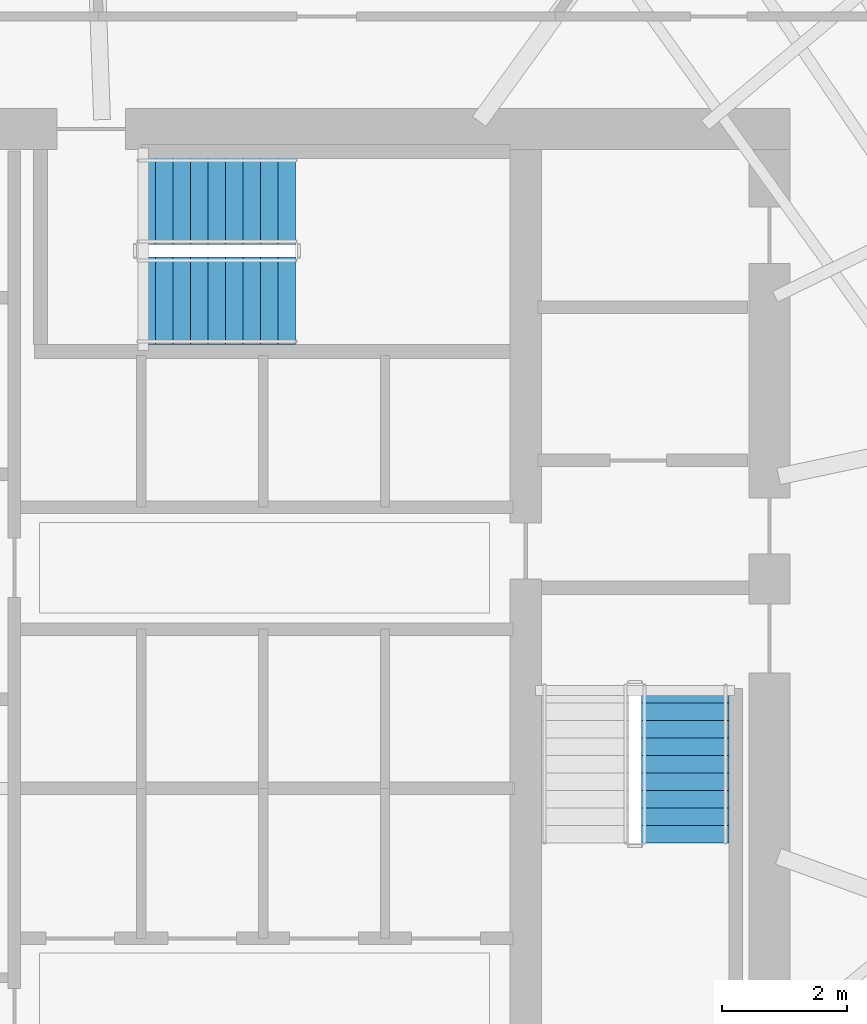
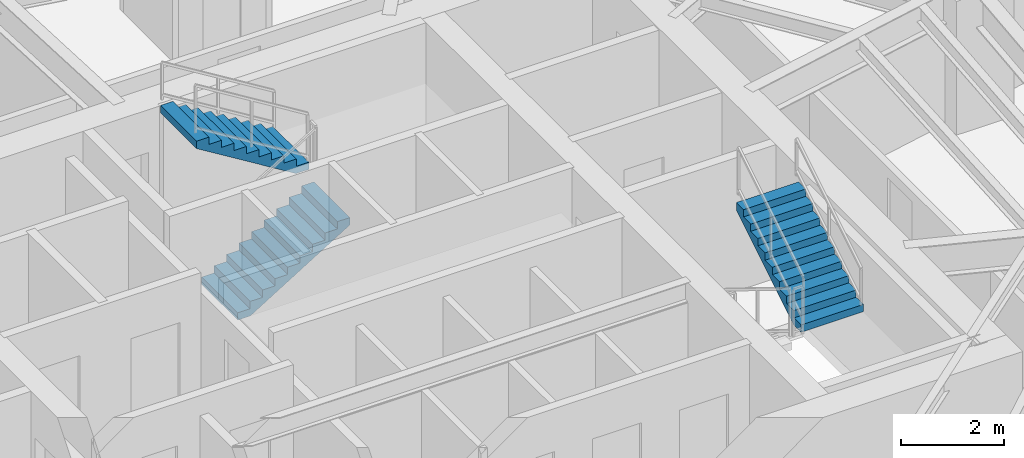
# One storey, part 26 of 30: 3 stair flights, 2 elements without a shape of their own.
"""IFC4 building model written with IfcOpenShell, lengths in metres."""

import ifcopenshell
import ifcopenshell.guid

model = None  # the IFC model being written
_history = None  # IfcOwnerHistory: only IFC2X3 demands one
_inside = {}  # id of a spatial element -> (the spatial element, [elements in it])
_under = {}  # id of a project, library or spatial element -> (it, [spatial elements below it])
_declared = {}  # id of a project -> (the project, [libraries it declares])
_typed = {}  # id of a type object -> (the type object, [elements of that type])
_made_of = {}  # id of a material, layer set ... -> (it, [elements and type objects made of it])


def new_model(schema):
    """Start an empty IFC model of exactly this schema.

    Asked for "IFC4X3", IfcOpenShell would pick the latest addendum, in which some entities
    have other attributes; the version numbers below select the first issue.
    IFC2X3 requires an IfcOwnerHistory on every rooted entity: one is made here for all.
    """
    global model, _history
    if schema == "IFC4X3":
        model = ifcopenshell.file(schema_version=(4, 3, 0, 0))
    else:
        model = ifcopenshell.file(schema=schema)
    _inside.clear()
    _under.clear()
    _declared.clear()
    _typed.clear()
    _made_of.clear()
    _history = None
    if model.schema == "IFC2X3":
        org = make("IfcOrganization", Name="unknown")
        user = make(
            "IfcPersonAndOrganization",
            ThePerson=make("IfcPerson", FamilyName="unknown"),
            TheOrganization=org,
        )
        app = make(
            "IfcApplication",
            ApplicationDeveloper=org,
            Version="unknown",
            ApplicationFullName="unknown",
            ApplicationIdentifier="unknown",
        )
        _history = make(
            "IfcOwnerHistory",
            OwningUser=user,
            OwningApplication=app,
            ChangeAction="ADDED",
            CreationDate=0,
        )
    return model


def make(cls, **values):
    """One entity of the class cls with the attributes given. An attribute that is None is left unset."""
    return model.create_entity(
        cls, **{name: value for name, value in values.items() if value is not None}
    )


def rooted(cls, **values):
    """An entity with a GlobalId (a new one), such as an element, a storey or a relation."""
    return make(cls, GlobalId=ifcopenshell.guid.new(), OwnerHistory=_history, **values)


def si_unit(unit_type, name, prefix=None):
    """IfcSIUnit, for example si_unit("LENGTHUNIT", "METRE", prefix="MILLI")."""
    return make("IfcSIUnit", UnitType=unit_type, Prefix=prefix, Name=name)


def assignment(units):
    """IfcUnitAssignment: the units of a project."""
    return None if units is None else make("IfcUnitAssignment", Units=units)


def point(xyz):
    """IfcCartesianPoint."""
    return None if xyz is None else make("IfcCartesianPoint", Coordinates=xyz)


def direction(xyz):
    """IfcDirection."""
    return None if xyz is None else make("IfcDirection", DirectionRatios=xyz)


def frame(location, z_axis=None, x_axis=None):
    """IfcAxis2Placement3D, a coordinate frame: its origin and axes. An axis left out is left unset."""
    return make(
        "IfcAxis2Placement3D",
        Location=point(location),
        Axis=direction(z_axis),
        RefDirection=direction(x_axis),
    )


def origin():
    """The frame at (0, 0, 0) with its axes left unset."""
    return frame((0.0, 0.0, 0.0))


def place(relative_to, where):
    """IfcLocalPlacement: puts the frame where relative to a parent placement (None: the world)."""
    return make(
        "IfcLocalPlacement", PlacementRelTo=relative_to, RelativePlacement=where
    )


def context(
    kind, dimensions, precision=None, world=None, true_north=None, identifier=None
):
    """IfcGeometricRepresentationContext, for example the 3D "Model" context."""
    return make(
        "IfcGeometricRepresentationContext",
        ContextIdentifier=identifier,
        ContextType=kind,
        CoordinateSpaceDimension=dimensions,
        Precision=precision,
        WorldCoordinateSystem=world,
        TrueNorth=true_north,
    )


def subcontext(parent, identifier, kind, view, scale=None):
    """IfcGeometricRepresentationSubContext, for example "Body" below "Model"."""
    return make(
        "IfcGeometricRepresentationSubContext",
        ContextIdentifier=identifier,
        ContextType=kind,
        ParentContext=parent,
        TargetScale=scale,
        TargetView=view,
    )


def project(units=None, contexts=None):
    """IfcProject with its units and contexts."""
    return rooted(
        "IfcProject",
        Name="project",
        RepresentationContexts=contexts,
        UnitsInContext=assignment(units),
    )


def spatial(cls, under=None, at=None, **own):
    """A site, building, storey or space (cls), placed at a placement, below another one or the project."""
    s = rooted(cls, ObjectPlacement=at, **own)
    if under is not None:
        _under.setdefault(under.id(), (under, []))[1].append(s)
    return s


def polyline(points):
    """IfcPolyline through the points."""
    return make("IfcPolyline", Points=[point(p) for p in points])


def outline(outer, holes=None, kind="AREA"):
    """IfcArbitraryClosedProfileDef: a profile drawn as a closed curve; with holes, ...WithVoids."""
    if holes is None:
        return make("IfcArbitraryClosedProfileDef", ProfileType=kind, OuterCurve=outer)
    return make(
        "IfcArbitraryProfileDefWithVoids",
        ProfileType=kind,
        OuterCurve=outer,
        InnerCurves=holes,
    )


def extrude(swept, where, along, depth):
    """IfcExtrudedAreaSolid: the profile swept, set in the frame where, extruded along a direction by depth."""
    return make(
        "IfcExtrudedAreaSolid",
        SweptArea=swept,
        Position=where,
        ExtrudedDirection=direction(along),
        Depth=depth,
    )


def shape(context_of_items, identifier, shape_type, items):
    """IfcShapeRepresentation: the items that make up one representation, for example the "Body"."""
    return make(
        "IfcShapeRepresentation",
        ContextOfItems=context_of_items,
        RepresentationIdentifier=identifier,
        RepresentationType=shape_type,
        Items=items,
    )


def material(Name=None, Category=None):
    """IfcMaterial."""
    return make("IfcMaterial", Name=Name, Category=Category)


def made_of(thing, what):
    """Note that an element or type object is made of a material, layer set ...; save() writes the relation."""
    if what is not None:
        _made_of.setdefault(what.id(), (what, []))[1].append(thing)
    return thing


def type_object(cls, material=None, **own):
    """A type object (cls), such as IfcWallType, which elements share."""
    return made_of(rooted(cls, **own), material)


def element(
    cls,
    number,
    at=None,
    inside=None,
    cuts=None,
    type_object=None,
    material=None,
    context=None,
    identifier="Body",
    shape_type=None,
    held_by="IfcProductDefinitionShape",
    body=None,
    shapes=None,
    **own,
):
    """One element of the class cls, such as IfcWall. Its Tag is "e" and its number.

    at: its placement. inside: the storey or other place that contains it. cuts: it is an
    opening in that element (IfcRelVoidsElement). A single representation is given by context,
    identifier, shape_type and body (its items); several are given by shapes. held_by: the class
    of the entity that holds the representations. save() writes the other relations.
    """
    e = rooted(cls, Tag="e%d" % number, ObjectPlacement=at, **own)
    if body is not None:
        shapes = [shape(context, identifier, shape_type, body)]
    if shapes is not None:
        e.Representation = make(held_by, Representations=shapes)
    if inside is not None:
        _inside.setdefault(inside.id(), (inside, []))[1].append(e)
    if cuts is not None:
        rooted(
            "IfcRelVoidsElement", RelatingBuildingElement=cuts, RelatedOpeningElement=e
        )
    if type_object is not None:
        _typed.setdefault(type_object.id(), (type_object, []))[1].append(e)
    return made_of(e, material)


def aggregate(whole, parts):
    """IfcRelAggregates: a whole, such as a stair, and the parts it consists of."""
    return rooted("IfcRelAggregates", RelatingObject=whole, RelatedObjects=parts)


def save(model, path):
    """Write the relations noted so far, then the file.

    IfcRelAggregates (storeys below a building ...), IfcRelContainedInSpatialStructure (elements
    in a storey), IfcRelDefinesByType, IfcRelAssociatesMaterial and IfcRelDeclares: one each for
    every whole, place, type object, material and project.
    """
    for whole, parts in _under.values():
        aggregate(whole, parts)
    for where, things in _inside.values():
        rooted(
            "IfcRelContainedInSpatialStructure",
            RelatedElements=things,
            RelatingStructure=where,
        )
    for kind, things in _typed.values():
        rooted("IfcRelDefinesByType", RelatedObjects=things, RelatingType=kind)
    for what, things in _made_of.values():
        rooted("IfcRelAssociatesMaterial", RelatedObjects=things, RelatingMaterial=what)
    for by, libraries in _declared.values():
        rooted("IfcRelDeclares", RelatingContext=by, RelatedDefinitions=libraries)
    model.write(path)


model = new_model("IFC4")

# Units and contexts
model_context = context("Model", 3, precision=1e-05, world=origin(), true_north=direction((0.0, 1.0)))
body_context = subcontext(model_context, "Body", "Model", "MODEL_VIEW")
ifc_project = project(units=[si_unit("LENGTHUNIT", "METRE"), si_unit("AREAUNIT", "SQUARE_METRE"), si_unit("VOLUMEUNIT", "CUBIC_METRE"), si_unit("PLANEANGLEUNIT", "RADIAN"), si_unit("MASSUNIT", "GRAM", prefix="KILO")], contexts=[model_context])

# Site, building, storey
site_placement = place(None, origin())
site = spatial("IfcSite", under=ifc_project, at=site_placement, CompositionType="ELEMENT")
building_placement = place(site_placement, origin())
building = spatial("IfcBuilding", under=site, at=building_placement, Name="Qarnah Convention Tower", CompositionType="ELEMENT")
storey_placement = place(building_placement, frame((0.0, 0.0, 58.050048828125)))
storey = spatial("IfcBuildingStorey", under=building, at=storey_placement, Name="L14", CompositionType="ELEMENT", Elevation=58.050048828125)

# Stair, stair flight
ifc_material = material(Name="Concrete C50/60", Category="concrete")
stair_type = type_object("IfcStairType", Name="STR-HTL", PredefinedType="HALF_TURN_STAIR", material=ifc_material)
stair_1_placement = place(storey_placement, origin())
stair_1 = element("IfcStair", 1, at=stair_1_placement, inside=storey, type_object=stair_type, Name="L14 Core exit stair ST-2", PredefinedType="HALF_TURN_STAIR")
stair_flight_type = type_object("IfcStairFlightType", Name="FLT-HTL", PredefinedType="STRAIGHT", material=ifc_material)
stair_flight_1_placement = place(storey_placement, frame((46.25, 22.780029296875, 1.724853515625), z_axis=(0.0, 0.0, 1.0), x_axis=(0.0, 1.0, 0.0)))
stair_flight_1 = element("IfcStairFlight", 2, at=stair_flight_1_placement, type_object=stair_flight_type, Name="ST-2 flight 2", NumberOfRisers=10, NumberOfTreads=9, PredefinedType="STRAIGHT", RiserHeight=0.1725, TreadLength=0.28, context=body_context, shape_type="SweptSolid", body=[
    extrude(outline(polyline([(0.0, 0.0), (0.0, 0.172607421875), (0.280029296875, 0.172607421875), (0.280029296875, 0.344970703125), (0.56005859375, 0.344970703125), (0.56005859375, 0.517578125), (0.840087890625, 0.517578125), (0.840087890625, 0.68994140625), (1.1201171875, 0.68994140625), (1.1201171875, 0.862548828125), (1.39990234375, 0.862548828125), (1.39990234375, 1.034912109375), (1.679931640625, 1.034912109375), (1.679931640625, 1.20751953125), (1.9599609375, 1.20751953125), (1.9599609375, 1.3798828125), (2.239990234375, 1.3798828125), (2.239990234375, 1.552490234375), (2.52001953125, 1.552490234375), (2.52001953125, 1.72509765625), (2.52001953125, 1.37646484375), (0.285888671875, 0.0), (0.0, 0.0)])), frame((0.0, 0.699951171875, 0.0), z_axis=(0.0, -1.0, 0.0), x_axis=(1.0, 0.0, 0.0)), (0.0, 0.0, 1.0), 1.39990234375),
])
aggregate(stair_1, [stair_flight_1])

# Stair, stair flights
stair_2_placement = place(storey_placement, origin())
stair_2 = element("IfcStair", 3, at=stair_2_placement, inside=storey, type_object=stair_type, Name="L14 Core exit stair ST-3", PredefinedType="HALF_TURN_STAIR")
stair_flight_2_placement = place(storey_placement, frame((37.5, 31.449951171875, 0.0), z_axis=(0.0, 0.0, 1.0), x_axis=(1.0, 0.0, 0.0)))
stair_flight_2 = element("IfcStairFlight", 4, at=stair_flight_2_placement, type_object=stair_flight_type, Name="ST-3 flight 1", NumberOfRisers=10, NumberOfTreads=9, PredefinedType="STRAIGHT", RiserHeight=0.1725, TreadLength=0.28, context=body_context, shape_type="SweptSolid", body=[
    extrude(outline(polyline([(0.0, 0.0), (0.0, 0.172607421875), (0.280029296875, 0.172607421875), (0.280029296875, 0.344970703125), (0.56005859375, 0.344970703125), (0.56005859375, 0.517578125), (0.840087890625, 0.517578125), (0.840087890625, 0.68994140625), (1.1201171875, 0.68994140625), (1.1201171875, 0.862548828125), (1.39990234375, 0.862548828125), (1.39990234375, 1.034912109375), (1.679931640625, 1.034912109375), (1.679931640625, 1.20751953125), (1.9599609375, 1.20751953125), (1.9599609375, 1.3798828125), (2.239990234375, 1.3798828125), (2.239990234375, 1.552490234375), (2.52001953125, 1.552490234375), (2.52001953125, 1.72509765625), (2.52001953125, 1.37646484375), (0.285888671875, 0.0), (0.0, 0.0)])), frame((0.0, 0.699951171875, 0.0), z_axis=(0.0, -1.0, 0.0), x_axis=(1.0, 0.0, 0.0)), (0.0, 0.0, 1.0), 1.39990234375),
])
stair_flight_3_placement = place(storey_placement, frame((40.02001953125, 33.050048828125, 1.724853515625), z_axis=(0.0, 0.0, 1.0), x_axis=(-1.0, 0.0, 0.0)))
stair_flight_3 = element("IfcStairFlight", 5, at=stair_flight_3_placement, type_object=stair_flight_type, Name="ST-3 flight 2", NumberOfRisers=10, NumberOfTreads=9, PredefinedType="STRAIGHT", RiserHeight=0.1725, TreadLength=0.28, context=body_context, shape_type="SweptSolid", body=[
    extrude(outline(polyline([(0.0, 0.0), (0.0, 0.172607421875), (0.280029296875, 0.172607421875), (0.280029296875, 0.344970703125), (0.56005859375, 0.344970703125), (0.56005859375, 0.517578125), (0.840087890625, 0.517578125), (0.840087890625, 0.68994140625), (1.1201171875, 0.68994140625), (1.1201171875, 0.862548828125), (1.39990234375, 0.862548828125), (1.39990234375, 1.034912109375), (1.679931640625, 1.034912109375), (1.679931640625, 1.20751953125), (1.9599609375, 1.20751953125), (1.9599609375, 1.3798828125), (2.239990234375, 1.3798828125), (2.239990234375, 1.552490234375), (2.52001953125, 1.552490234375), (2.52001953125, 1.72509765625), (2.52001953125, 1.37646484375), (0.285888671875, 0.0), (0.0, 0.0)])), frame((0.0, 0.699951171875, 0.0), z_axis=(0.0, -1.0, 0.0), x_axis=(1.0, 0.0, 0.0)), (0.0, 0.0, 1.0), 1.39990234375),
])
aggregate(stair_2, [stair_flight_2, stair_flight_3])

save(model, "model.ifc")
